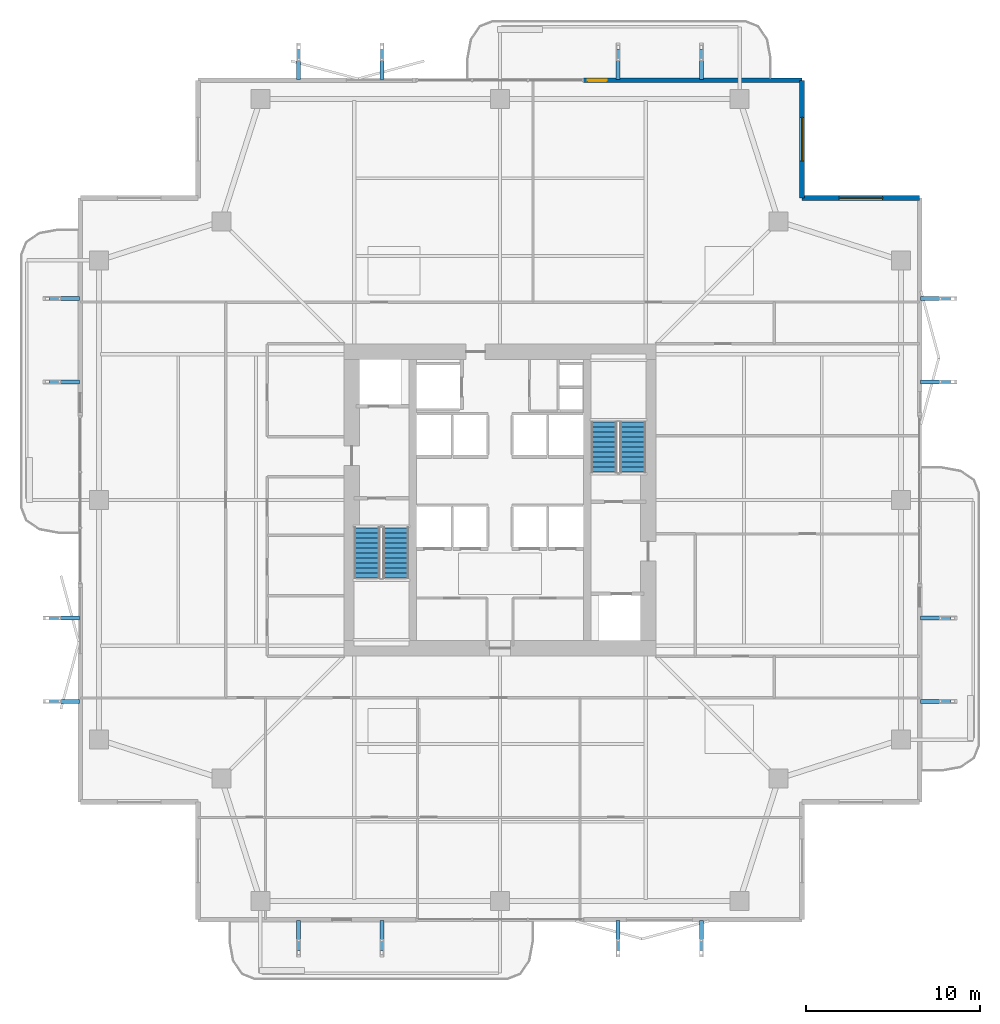
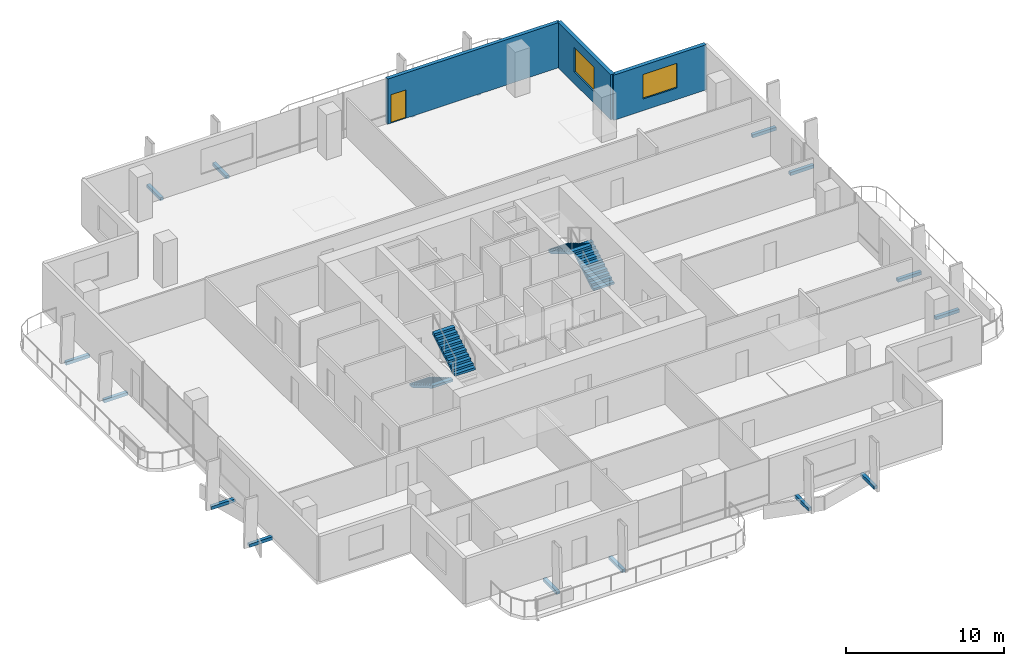
# One storey, part 22 of 25: 16 discrete accessories, 4 stair flights, 3 walls, 2 windows, 1 door, 3 openings, 2 elements without a shape of their own.
"""IFC4 building model written with IfcOpenShell, lengths in metres."""

from ifc_helpers import new_model, si_unit, direction, frame, frame_2d, origin, origin_2d, place, context, subcontext, project, spatial, polyline, rectangle, outline, extrude, material, layer, layer_set, type_object, element, fill, aggregate, save


model = new_model("IFC4")

# Units and contexts
model_context = context("Model", 3, precision=1e-05, world=origin(), true_north=direction((0.0, 1.0)))
body_context = subcontext(model_context, "Body", "Model", "MODEL_VIEW")
ifc_project = project(units=[si_unit("LENGTHUNIT", "METRE"), si_unit("AREAUNIT", "SQUARE_METRE"), si_unit("VOLUMEUNIT", "CUBIC_METRE"), si_unit("PLANEANGLEUNIT", "RADIAN"), si_unit("MASSUNIT", "GRAM", prefix="KILO")], contexts=[model_context])

# Site, building, storey
site_placement = place(None, origin())
site = spatial("IfcSite", under=ifc_project, at=site_placement, CompositionType="ELEMENT")
building_placement = place(site_placement, origin())
building = spatial("IfcBuilding", under=site, at=building_placement, Name="Belovzor Exchange Tower", CompositionType="ELEMENT")
storey_placement = place(building_placement, frame((0.0, 0.0, 149.550048828125)))
storey = spatial("IfcBuildingStorey", under=building, at=storey_placement, Name="L36", CompositionType="ELEMENT", Elevation=149.550048828125)

# Wall, opening, window
ifc_material_1 = material(Name="Precast concrete C40/50", Category="concrete")
ifc_layer_1 = layer(ifc_material_1, 0.280029296875)
ifc_layer_set_1 = layer_set([ifc_layer_1], Name="Precast concrete C40/50")
wall_type_1 = type_object("IfcWallType", Name="Precast Concrete Notched Corner Frame Wall 280", PredefinedType="SOLIDWALL", material=ifc_layer_set_1)
wall_1_placement = place(storey_placement, frame((46.199951171875, 52.969970703125, 0.0), z_axis=(0.0, 0.0, 1.0), x_axis=(0.0, -1.0, 0.0)))
wall_1 = element("IfcWall", 1, at=wall_1_placement, inside=storey, type_object=wall_type_1, Name="W-CRN280 Precast Concrete Notched Corner Frame Wall 280 L36", PredefinedType="SOLIDWALL", context=body_context, shape_type="SweptSolid", body=[
    extrude(rectangle(XDim=6.77001953125, YDim=0.280029296875, at=frame_2d((3.385009765625, 0.0))), origin(), (0.0, 0.0, 1.0), 3.494873046875),
])
opening_1_placement = place(wall_1_placement, frame((2.135009765625, 0.0, 0.89990234375)))
opening_1 = element("IfcOpeningElement", 2, at=opening_1_placement, cuts=wall_1, Name="Opening WN-CRN250", PredefinedType="OPENING", context=body_context, shape_type="SweptSolid", body=[
    extrude(rectangle(XDim=2.5, YDim=1.89990234375, at=frame_2d((1.25, 0.949951171875))), frame((0.0, 0.14990234375, 0.0), z_axis=(0.0, -1.0, 0.0), x_axis=(1.0, 0.0, 0.0)), (0.0, 0.0, 1.0), 0.300048828125),
])
ifc_material_2 = material(Name="Thermally Broken Aluminium and Triple Glazing", Category="aluminium")
window_type = type_object("IfcWindowType", Name="Streamline Moderne Corner Wrap Ribbon Window 2500x1900", PartitioningType="SINGLE_PANEL", PredefinedType="WINDOW", material=ifc_material_2)
window_1_placement = place(opening_1_placement, origin())
window_1 = element("IfcWindow", 3, at=window_1_placement, inside=storey, type_object=window_type, Name="WN-CRN250 Streamline Moderne Corner Wrap Ribbon Window 2500x1900", OverallHeight=1.89990234375, OverallWidth=2.5, PartitioningType="SINGLE_PANEL", PredefinedType="WINDOW", context=body_context, shape_type="SweptSolid", body=[
    extrude(rectangle(XDim=2.5, YDim=1.89990234375, at=frame_2d((1.25, 0.949951171875))), frame((0.0, 0.030029296875, 0.0), z_axis=(0.0, -1.0, 0.0), x_axis=(1.0, 0.0, 0.0)), (0.0, 0.0, 1.0), 0.06005859375),
])
fill(opening_1, window_1)

wall_2_placement = place(storey_placement, frame((46.199951171875, 46.199951171875, 0.0), z_axis=(0.0, 0.0, 1.0), x_axis=(1.0, 0.0, 0.0)))
wall_2 = element("IfcWall", 4, at=wall_2_placement, inside=storey, type_object=wall_type_1, Name="W-CRN280 Precast Concrete Notched Corner Frame Wall 280 L36", PredefinedType="SOLIDWALL", context=body_context, shape_type="SweptSolid", body=[
    extrude(rectangle(XDim=6.77001953125, YDim=0.280029296875, at=frame_2d((3.385009765625, 0.0))), origin(), (0.0, 0.0, 1.0), 3.494873046875),
])
opening_2_placement = place(wall_2_placement, frame((2.135009765625, 0.0, 0.89990234375)))
opening_2 = element("IfcOpeningElement", 5, at=opening_2_placement, cuts=wall_2, Name="Opening WN-CRN250", PredefinedType="OPENING", context=body_context, shape_type="SweptSolid", body=[
    extrude(rectangle(XDim=2.5, YDim=1.89990234375, at=frame_2d((1.25, 0.949951171875))), frame((0.0, 0.14990234375, 0.0), z_axis=(0.0, -1.0, 0.0), x_axis=(1.0, 0.0, 0.0)), (0.0, 0.0, 1.0), 0.300048828125),
])
window_2_placement = place(opening_2_placement, origin())
window_2 = element("IfcWindow", 6, at=window_2_placement, inside=storey, type_object=window_type, Name="WN-CRN250 Streamline Moderne Corner Wrap Ribbon Window 2500x1900", OverallHeight=1.89990234375, OverallWidth=2.5, PartitioningType="SINGLE_PANEL", PredefinedType="WINDOW", context=body_context, shape_type="SweptSolid", body=[
    extrude(rectangle(XDim=2.5, YDim=1.89990234375, at=frame_2d((1.25, 0.949951171875))), frame((0.0, 0.030029296875, 0.0), z_axis=(0.0, -1.0, 0.0), x_axis=(1.0, 0.0, 0.0)), (0.0, 0.0, 1.0), 0.06005859375),
])
fill(opening_2, window_2)

# Wall, opening, door
ifc_material_3 = material(Name="Precast concrete C40/50", Category="concrete")
ifc_layer_2 = layer(ifc_material_3, 0.260009765625)
ifc_layer_set_2 = layer_set([ifc_layer_2], Name="Precast concrete C40/50")
wall_type_2 = type_object("IfcWallType", Name="Precast Concrete Perimeter Loggia Frame Wall 260", PredefinedType="SOLIDWALL", material=ifc_layer_set_2)
wall_3_placement = place(storey_placement, frame((33.60009765625, 52.969970703125, 0.0), z_axis=(0.0, 0.0, 1.0), x_axis=(1.0, 0.0, 0.0)))
wall_3 = element("IfcWall", 7, at=wall_3_placement, inside=storey, type_object=wall_type_2, Name="W-EXT260 Precast Concrete Perimeter Loggia Frame Wall 260 L36", PredefinedType="SOLIDWALL", context=body_context, shape_type="SweptSolid", body=[
    extrude(rectangle(XDim=12.599853515625, YDim=0.260009765625, at=frame_2d((6.2998046875, 0.0))), origin(), (0.0, 0.0, 1.0), 3.494873046875),
])
opening_3_placement = place(wall_3_placement, frame((0.25, 0.0, 0.0)))
opening_3 = element("IfcOpeningElement", 8, at=opening_3_placement, cuts=wall_3, Name="Opening D-BAL110", PredefinedType="OPENING", context=body_context, shape_type="SweptSolid", body=[
    extrude(rectangle(XDim=1.10009765625, YDim=2.199951171875, at=frame_2d((0.550048828125, 1.10009765625))), frame((0.0, 0.139892578125, 0.0), z_axis=(0.0, -1.0, 0.0), x_axis=(1.0, 0.0, 0.0)), (0.0, 0.0, 1.0), 0.280029296875),
])
ifc_material_4 = material(Name="Thermally Broken Anodised Aluminium and Laminated Glass", Category="aluminium")
door_type = type_object("IfcDoorType", Name="Planted Loggia Terrace Glazed Door 1100x2200", OperationType="SINGLE_SWING_LEFT", PredefinedType="DOOR", material=ifc_material_4)
door_placement = place(opening_3_placement, origin())
door = element("IfcDoor", 9, at=door_placement, inside=storey, type_object=door_type, Name="D-BAL110 Balcony Terrace Door L36 N", OperationType="SINGLE_SWING_RIGHT", OverallHeight=2.199951171875, OverallWidth=1.10009765625, PredefinedType="DOOR", context=body_context, shape_type="SweptSolid", body=[
    extrude(rectangle(XDim=1.10009765625, YDim=2.199951171875, at=frame_2d((0.550048828125, 1.10009765625))), frame((0.0, 0.02490234375, 0.0), z_axis=(0.0, -1.0, 0.0), x_axis=(1.0, 0.0, 0.0)), (0.0, 0.0, 1.0), 0.050048828125),
])
fill(opening_3, door)

# Stair, stair flights
ifc_material_5 = material(Name="Concrete C40/50", Category="concrete")
stair_type = type_object("IfcStairType", Name="Reinforced Concrete Dogleg Escape Stair 1350", PredefinedType="HALF_TURN_STAIR", material=ifc_material_5)
stair_1_placement = place(storey_placement, origin())
stair_1 = element("IfcStair", 10, at=stair_1_placement, inside=storey, type_object=stair_type, Name="L36 ST-1", PredefinedType="HALF_TURN_STAIR")
ifc_material_6 = material(Name="Concrete C40/50", Category="concrete")
stair_flight_type = type_object("IfcStairFlightType", Name="Reinforced Concrete Stair Flight 1350", PredefinedType="STRAIGHT", material=ifc_material_6)
stair_flight_1_placement = place(storey_placement, frame((21.14990234375, 27.199951171875, 0.0), z_axis=(0.0, 0.0, 1.0), x_axis=(0.0, -1.0, 0.0)))
stair_flight_1 = element("IfcStairFlight", 11, at=stair_flight_1_placement, type_object=stair_flight_type, Name="ST-1 flight 1", NumberOfRisers=11, NumberOfTreads=10, PredefinedType="STRAIGHT", RiserHeight=0.170454545, TreadLength=0.29, context=body_context, shape_type="SweptSolid", body=[
    extrude(outline(polyline([(0.0, 0.0), (0.0, 0.17041015625), (0.2900390625, 0.17041015625), (0.2900390625, 0.3408203125), (0.580078125, 0.3408203125), (0.580078125, 0.511474609375), (0.8701171875, 0.511474609375), (0.8701171875, 0.681884765625), (1.159912109375, 0.681884765625), (1.159912109375, 0.852294921875), (1.449951171875, 0.852294921875), (1.449951171875, 1.022705078125), (1.739990234375, 1.022705078125), (1.739990234375, 1.193115234375), (2.030029296875, 1.193115234375), (2.030029296875, 1.363525390625), (2.320068359375, 1.363525390625), (2.320068359375, 1.5341796875), (2.610107421875, 1.5341796875), (2.610107421875, 1.70458984375), (2.89990234375, 1.70458984375), (2.89990234375, 1.875), (2.89990234375, 1.53076171875), (0.2958984375, 0.0), (0.0, 0.0)])), frame((0.0, 0.75, 0.0), z_axis=(0.0, -1.0, 0.0), x_axis=(1.0, 0.0, 0.0)), (0.0, 0.0, 1.0), 1.5),
])
stair_flight_2_placement = place(storey_placement, frame((22.800048828125, 24.300048828125, 1.875), z_axis=(0.0, 0.0, 1.0), x_axis=(0.0, 1.0, 0.0)))
stair_flight_2 = element("IfcStairFlight", 12, at=stair_flight_2_placement, type_object=stair_flight_type, Name="ST-1 flight 2", NumberOfRisers=11, NumberOfTreads=10, PredefinedType="STRAIGHT", RiserHeight=0.170454545, TreadLength=0.29, context=body_context, shape_type="SweptSolid", body=[
    extrude(outline(polyline([(0.0, 0.0), (0.0, 0.17041015625), (0.2900390625, 0.17041015625), (0.2900390625, 0.3408203125), (0.580078125, 0.3408203125), (0.580078125, 0.511474609375), (0.8701171875, 0.511474609375), (0.8701171875, 0.681884765625), (1.159912109375, 0.681884765625), (1.159912109375, 0.852294921875), (1.449951171875, 0.852294921875), (1.449951171875, 1.022705078125), (1.739990234375, 1.022705078125), (1.739990234375, 1.193115234375), (2.030029296875, 1.193115234375), (2.030029296875, 1.363525390625), (2.320068359375, 1.363525390625), (2.320068359375, 1.5341796875), (2.610107421875, 1.5341796875), (2.610107421875, 1.70458984375), (2.89990234375, 1.70458984375), (2.89990234375, 1.875), (2.89990234375, 1.53076171875), (0.2958984375, 0.0), (0.0, 0.0)])), frame((0.0, 0.75, 0.0), z_axis=(0.0, -1.0, 0.0), x_axis=(1.0, 0.0, 0.0)), (0.0, 0.0, 1.0), 1.5),
])
aggregate(stair_1, [stair_flight_1, stair_flight_2])

stair_2_placement = place(storey_placement, origin())
stair_2 = element("IfcStair", 13, at=stair_2_placement, inside=storey, type_object=stair_type, Name="L36 ST-2", PredefinedType="HALF_TURN_STAIR")
stair_flight_3_placement = place(storey_placement, frame((36.449951171875, 30.39990234375, 0.0), z_axis=(0.0, 0.0, 1.0), x_axis=(0.0, 1.0, 0.0)))
stair_flight_3 = element("IfcStairFlight", 14, at=stair_flight_3_placement, type_object=stair_flight_type, Name="ST-2 flight 1", NumberOfRisers=11, NumberOfTreads=10, PredefinedType="STRAIGHT", RiserHeight=0.170454545, TreadLength=0.29, context=body_context, shape_type="SweptSolid", body=[
    extrude(outline(polyline([(0.0, 0.0), (0.0, 0.17041015625), (0.2900390625, 0.17041015625), (0.2900390625, 0.3408203125), (0.580078125, 0.3408203125), (0.580078125, 0.511474609375), (0.8701171875, 0.511474609375), (0.8701171875, 0.681884765625), (1.159912109375, 0.681884765625), (1.159912109375, 0.852294921875), (1.449951171875, 0.852294921875), (1.449951171875, 1.022705078125), (1.739990234375, 1.022705078125), (1.739990234375, 1.193115234375), (2.030029296875, 1.193115234375), (2.030029296875, 1.363525390625), (2.320068359375, 1.363525390625), (2.320068359375, 1.5341796875), (2.610107421875, 1.5341796875), (2.610107421875, 1.70458984375), (2.89990234375, 1.70458984375), (2.89990234375, 1.875), (2.89990234375, 1.53076171875), (0.2958984375, 0.0), (0.0, 0.0)])), frame((0.0, 0.75, 0.0), z_axis=(0.0, -1.0, 0.0), x_axis=(1.0, 0.0, 0.0)), (0.0, 0.0, 1.0), 1.5),
])
stair_flight_4_placement = place(storey_placement, frame((34.800048828125, 33.300048828125, 1.875), z_axis=(0.0, 0.0, 1.0), x_axis=(0.0, -1.0, 0.0)))
stair_flight_4 = element("IfcStairFlight", 15, at=stair_flight_4_placement, type_object=stair_flight_type, Name="ST-2 flight 2", NumberOfRisers=11, NumberOfTreads=10, PredefinedType="STRAIGHT", RiserHeight=0.170454545, TreadLength=0.29, context=body_context, shape_type="SweptSolid", body=[
    extrude(outline(polyline([(0.0, 0.0), (0.0, 0.17041015625), (0.2900390625, 0.17041015625), (0.2900390625, 0.3408203125), (0.580078125, 0.3408203125), (0.580078125, 0.511474609375), (0.8701171875, 0.511474609375), (0.8701171875, 0.681884765625), (1.159912109375, 0.681884765625), (1.159912109375, 0.852294921875), (1.449951171875, 0.852294921875), (1.449951171875, 1.022705078125), (1.739990234375, 1.022705078125), (1.739990234375, 1.193115234375), (2.030029296875, 1.193115234375), (2.030029296875, 1.363525390625), (2.320068359375, 1.363525390625), (2.320068359375, 1.5341796875), (2.610107421875, 1.5341796875), (2.610107421875, 1.70458984375), (2.89990234375, 1.70458984375), (2.89990234375, 1.875), (2.89990234375, 1.53076171875), (0.2958984375, 0.0), (0.0, 0.0)])), frame((0.0, 0.75, 0.0), z_axis=(0.0, -1.0, 0.0), x_axis=(1.0, 0.0, 0.0)), (0.0, 0.0, 1.0), 1.5),
])
aggregate(stair_2, [stair_flight_3, stair_flight_4])

# Discrete accessories
ifc_material_7 = material(Name="Stainless Steel Grade 316", Category="steel")
ifc_layer_3 = layer(ifc_material_7, 0.179931640625)
ifc_layer_set_3 = layer_set([ifc_layer_3], Name="Stainless Steel Grade 316")
discrete_accessory_type = type_object("IfcDiscreteAccessoryType", Name="Stainless Steel Facade Outrigger Fixing Bracket", PredefinedType="BRACKET", material=ifc_layer_set_3)
for number, where, z_axis, x_axis, name in (
    (16, (17.199951171875, 3.718017578125, -0.2470703125), (0.0, 0.0, 1.0), (0.0, 1.0, 0.0), "BRK-FIN1 Sweeping Fin Outrigger Bracket L36 S1"),
    (17, (17.199951171875, 53.882080078125, -0.2470703125), (0.0, 0.0, 1.0), (0.0, 1.0, 0.0), "BRK-FIN1 Sweeping Fin Outrigger Bracket L36 N1"),
    (18, (3.718017578125, 17.199951171875, -0.2470703125), (0.0, 0.0, 1.0), (1.0, 0.0, 0.0), "BRK-FIN1 Sweeping Fin Outrigger Bracket L36 W1"),
    (19, (53.882080078125, 17.199951171875, -0.2470703125), (0.0, 0.0, 1.0), (1.0, 0.0, 0.0), "BRK-FIN1 Sweeping Fin Outrigger Bracket L36 E1"),
    (20, (22.0, 3.718017578125, -0.2470703125), (0.0, 0.0, 1.0), (0.0, 1.0, 0.0), "BRK-FIN1 Sweeping Fin Outrigger Bracket L36 S2"),
    (21, (22.0, 53.882080078125, -0.2470703125), (0.0, 0.0, 1.0), (0.0, 1.0, 0.0), "BRK-FIN1 Sweeping Fin Outrigger Bracket L36 N2"),
    (22, (3.718017578125, 22.0, -0.2470703125), (0.0, 0.0, 1.0), (1.0, 0.0, 0.0), "BRK-FIN1 Sweeping Fin Outrigger Bracket L36 W2"),
    (23, (53.882080078125, 22.0, -0.2470703125), (0.0, 0.0, 1.0), (1.0, 0.0, 0.0), "BRK-FIN1 Sweeping Fin Outrigger Bracket L36 E2"),
    (24, (35.60009765625, 3.718017578125, -0.2470703125), (0.0, 0.0, 1.0), (0.0, 1.0, 0.0), "BRK-FIN1 Sweeping Fin Outrigger Bracket L36 S3"),
    (25, (35.60009765625, 53.882080078125, -0.2470703125), (0.0, 0.0, 1.0), (0.0, 1.0, 0.0), "BRK-FIN1 Sweeping Fin Outrigger Bracket L36 N3"),
    (26, (3.718017578125, 35.60009765625, -0.2470703125), (0.0, 0.0, 1.0), (1.0, 0.0, 0.0), "BRK-FIN1 Sweeping Fin Outrigger Bracket L36 W3"),
    (27, (53.882080078125, 35.60009765625, -0.2470703125), (0.0, 0.0, 1.0), (1.0, 0.0, 0.0), "BRK-FIN1 Sweeping Fin Outrigger Bracket L36 E3"),
    (28, (40.39990234375, 3.718017578125, -0.2470703125), (0.0, 0.0, 1.0), (0.0, 1.0, 0.0), "BRK-FIN1 Sweeping Fin Outrigger Bracket L36 S4"),
    (29, (40.39990234375, 53.882080078125, -0.2470703125), (0.0, 0.0, 1.0), (0.0, 1.0, 0.0), "BRK-FIN1 Sweeping Fin Outrigger Bracket L36 N4"),
    (30, (3.718017578125, 40.39990234375, -0.2470703125), (0.0, 0.0, 1.0), (1.0, 0.0, 0.0), "BRK-FIN1 Sweeping Fin Outrigger Bracket L36 W4"),
    (31, (53.882080078125, 40.39990234375, -0.2470703125), (0.0, 0.0, 1.0), (1.0, 0.0, 0.0), "BRK-FIN1 Sweeping Fin Outrigger Bracket L36 E4"),
):
    element("IfcDiscreteAccessory", number, at=place(storey_placement, frame(where, z_axis=z_axis, x_axis=x_axis)), inside=storey, type_object=discrete_accessory_type, Name=name, PredefinedType="BRACKET", context=body_context, shape_type="SweptSolid", body=[
        extrude(rectangle(XDim=1.72412109375, YDim=0.239990234375, at=origin_2d()), origin(), (0.0, 0.0, 1.0), 0.239990234375),
    ])

save(model, "model.ifc")
